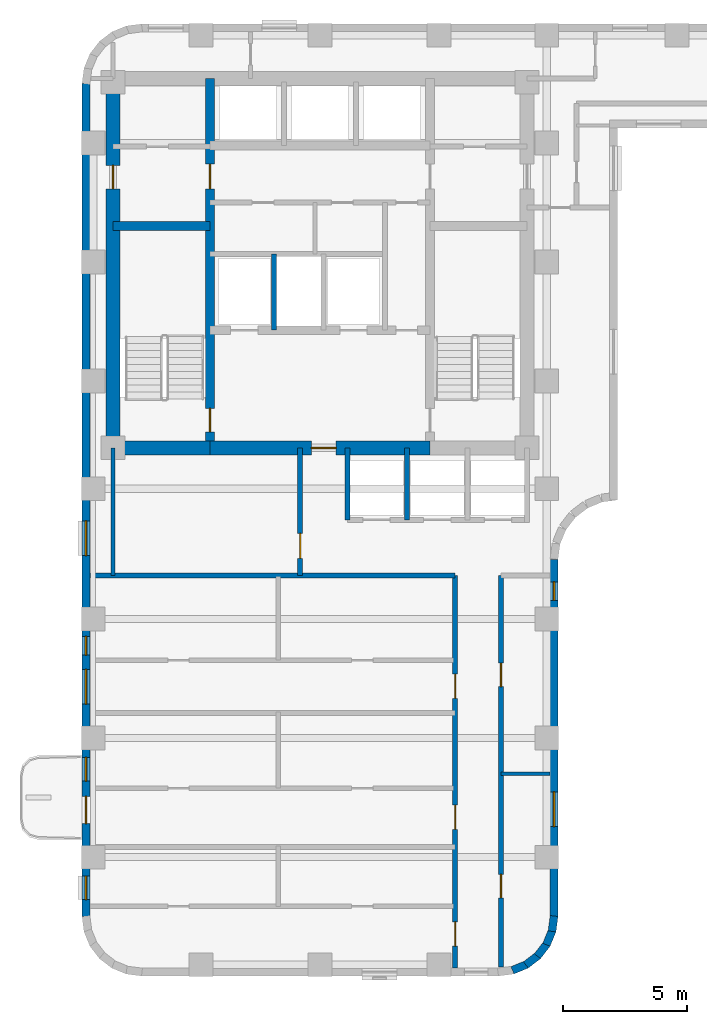
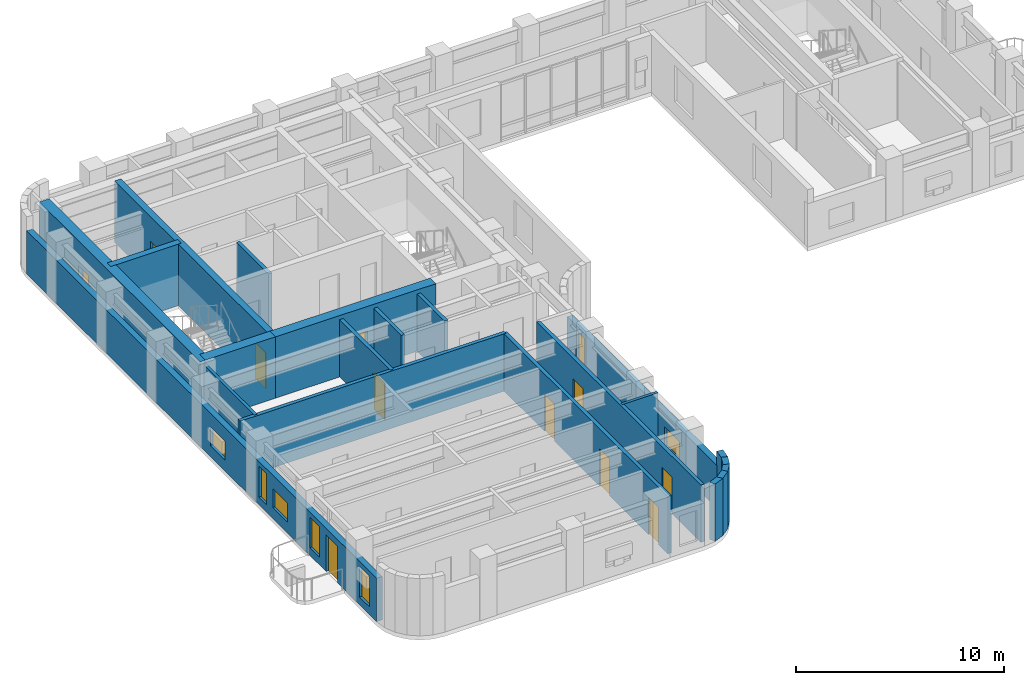
# One storey, part 4 of 11: 21 walls, 11 doors, 7 windows, 18 openings.
"""IFC4 building model written with IfcOpenShell, lengths in metres."""

from ifc_helpers import new_model, si_unit, direction, frame, frame_2d, origin, place, context, subcontext, project, spatial, rectangle, extrude, material, layer, layer_set, type_object, element, fill, save


model = new_model("IFC4")

# Units and contexts
model_context = context("Model", 3, precision=1e-05, world=origin(), true_north=direction((0.0, 1.0)))
body_context = subcontext(model_context, "Body", "Model", "MODEL_VIEW")
ifc_project = project(units=[si_unit("LENGTHUNIT", "METRE"), si_unit("AREAUNIT", "SQUARE_METRE"), si_unit("VOLUMEUNIT", "CUBIC_METRE"), si_unit("PLANEANGLEUNIT", "RADIAN"), si_unit("MASSUNIT", "GRAM", prefix="KILO")], contexts=[model_context])

# Site, building, storey
site_placement = place(None, origin())
site = spatial("IfcSite", under=ifc_project, at=site_placement, CompositionType="ELEMENT")
building_placement = place(site_placement, origin())
building = spatial("IfcBuilding", under=site, at=building_placement, Name="Orvandelia Arch Residences", CompositionType="ELEMENT")
storey_placement = place(building_placement, frame((0.0, 0.0, 161.199951171875)))
storey = spatial("IfcBuildingStorey", under=building, at=storey_placement, Name="L42", CompositionType="ELEMENT", Elevation=161.199951171875)

# Wall, openings, doors
ifc_material_1 = material(Name="Concrete C50/60", Category="concrete")
ifc_layer_1 = layer(ifc_material_1, 0.35009765625, Name="Concrete C50/60", Category="concrete")
ifc_layer_set_1 = layer_set([ifc_layer_1], Name="Concrete C50/60")
wall_type_1 = type_object("IfcWallType", Name="WL-CORE-350", PredefinedType="SHEAR", material=ifc_layer_set_1)
wall_1_placement = place(storey_placement, frame((9.9599609375, 30.89990234375, 0.0), z_axis=(0.0, 0.0, 1.0), x_axis=(0.0, 1.0, 0.0)))
wall_1 = element("IfcWall", 1, at=wall_1_placement, inside=storey, type_object=wall_type_1, Name="Core Shear Wall L42-WEB1", PredefinedType="SHEAR", context=body_context, shape_type="SweptSolid", body=[
    extrude(rectangle(XDim=14.900146484375, YDim=0.35009765625, at=frame_2d((7.4501953125, 0.0))), origin(), (0.0, 0.0, 1.0), 3.60009765625),
])
opening_1_placement = place(wall_1_placement, frame((0.64990234375, 0.0, 0.0)))
opening_1 = element("IfcOpeningElement", 2, at=opening_1_placement, cuts=wall_1, Name="Opening D7", PredefinedType="OPENING", context=body_context, shape_type="SweptSolid", body=[
    extrude(rectangle(XDim=0.949951171875, YDim=2.10009765625, at=frame_2d((0.47509765625, 1.050048828125))), frame((0.0, 0.18505859375, 0.0), z_axis=(0.0, -1.0, 0.0), x_axis=(1.0, 0.0, 0.0)), (0.0, 0.0, 1.0), 0.3701171875),
])
opening_2_placement = place(wall_1_placement, frame((10.449951171875, 0.0, 0.0)))
opening_2 = element("IfcOpeningElement", 3, at=opening_2_placement, cuts=wall_1, Name="Opening D6", PredefinedType="OPENING", context=body_context, shape_type="SweptSolid", body=[
    extrude(rectangle(XDim=1.0, YDim=2.14990234375, at=frame_2d((0.5, 1.074951171875))), frame((0.0, 0.18505859375, 0.0), z_axis=(0.0, -1.0, 0.0), x_axis=(1.0, 0.0, 0.0)), (0.0, 0.0, 1.0), 0.3701171875),
])
ifc_material_2 = material(Name="Smokeproof Painted Steel Fire Door", Category="steel")
door_type_1 = type_object("IfcDoorType", Name="DR-FD60-1000", OperationType="NOTDEFINED", PredefinedType="DOOR", material=ifc_material_2)
door_1_placement = place(opening_2_placement, origin())
door_1 = element("IfcDoor", 4, at=door_1_placement, inside=storey, type_object=door_type_1, Name="High-Rise Lift Hall West Vestibule Door L42", OperationType="SINGLE_SWING_LEFT", OverallHeight=2.14990234375, OverallWidth=1.0, PredefinedType="DOOR", context=body_context, shape_type="SweptSolid", body=[
    extrude(rectangle(XDim=1.0, YDim=2.14990234375, at=frame_2d((0.5, 1.074951171875))), frame((0.0, 0.02490234375, 0.0), z_axis=(0.0, -1.0, 0.0), x_axis=(1.0, 0.0, 0.0)), (0.0, 0.0, 1.0), 0.050048828125),
])
fill(opening_2, door_1)
ifc_material_3 = material(Name="Pressurised Stairwell Fire Door")
door_type_2 = type_object("IfcDoorType", Name="DR-STAIR-950", OperationType="NOTDEFINED", PredefinedType="DOOR", material=ifc_material_3)
door_2_placement = place(opening_1_placement, origin())
door_2 = element("IfcDoor", 5, at=door_2_placement, inside=storey, type_object=door_type_2, Name="Stairwell ST-1 Fire Door L42", OperationType="SINGLE_SWING_LEFT", OverallHeight=2.10009765625, OverallWidth=0.949951171875, PredefinedType="DOOR", context=body_context, shape_type="SweptSolid", body=[
    extrude(rectangle(XDim=0.949951171875, YDim=2.10009765625, at=frame_2d((0.47509765625, 1.050048828125))), frame((0.0, 0.02490234375, 0.0), z_axis=(0.0, -1.0, 0.0), x_axis=(1.0, 0.0, 0.0)), (0.0, 0.0, 1.0), 0.050048828125),
])
fill(opening_1, door_2)

# Wall
wall_2_placement = place(storey_placement, frame((6.050048828125, 39.85009765625, 0.0), z_axis=(0.0, 0.0, 1.0), x_axis=(1.0, 0.0, 0.0)))
element("IfcWall", 6, at=wall_2_placement, inside=storey, type_object=wall_type_1, Name="Core Shear Wall L42-HZ1", PredefinedType="SHEAR", context=body_context, shape_type="SweptSolid", body=[
    extrude(rectangle(XDim=3.909912109375, YDim=0.35009765625, at=frame_2d((1.955078125, 0.0))), origin(), (0.0, 0.0, 1.0), 3.60009765625),
])

# Wall, opening, door
ifc_material_4 = material(Name="Concrete C60/75", Category="concrete")
ifc_layer_2 = layer(ifc_material_4, 0.550048828125, Name="Concrete C60/75", Category="concrete")
ifc_layer_set_2 = layer_set([ifc_layer_2], Name="Concrete C60/75")
wall_type_2 = type_object("IfcWallType", Name="WL-CORE-550", PredefinedType="SHEAR", material=ifc_layer_set_2)
wall_3_placement = place(storey_placement, frame((6.050048828125, 30.625, 0.0), z_axis=(0.0, 0.0, 1.0), x_axis=(0.0, 1.0, 0.0)))
wall_3 = element("IfcWall", 7, at=wall_3_placement, inside=storey, type_object=wall_type_2, Name="Core Shear Wall L42-W", PredefinedType="SHEAR", context=body_context, shape_type="SweptSolid", body=[
    extrude(rectangle(XDim=15.449951171875, YDim=0.550048828125, at=frame_2d((7.72509765625, 0.0))), origin(), (0.0, 0.0, 1.0), 3.60009765625),
])
opening_3_placement = place(wall_3_placement, frame((10.72509765625, 0.0, 0.0)))
opening_3 = element("IfcOpeningElement", 8, at=opening_3_placement, cuts=wall_3, Name="Opening D2", PredefinedType="OPENING", context=body_context, shape_type="SweptSolid", body=[
    extrude(rectangle(XDim=0.949951171875, YDim=2.14990234375, at=frame_2d((0.47509765625, 1.074951171875))), frame((0.0, 0.28515625, 0.0), z_axis=(0.0, -1.0, 0.0), x_axis=(1.0, 0.0, 0.0)), (0.0, 0.0, 1.0), 0.570068359375),
])
ifc_material_5 = material(Name="Solid-Core Timber Interior Fire Door", Category="wood")
door_type_3 = type_object("IfcDoorType", Name="DR-APT-950", OperationType="NOTDEFINED", PredefinedType="DOOR", material=ifc_material_5)
door_3_placement = place(opening_3_placement, origin())
door_3 = element("IfcDoor", 9, at=door_3_placement, inside=storey, type_object=door_type_3, Name="West Viewing Study Door L42", OperationType="SINGLE_SWING_RIGHT", OverallHeight=2.14990234375, OverallWidth=0.949951171875, PredefinedType="DOOR", context=body_context, shape_type="SweptSolid", body=[
    extrude(rectangle(XDim=0.949951171875, YDim=2.14990234375, at=frame_2d((0.47509765625, 1.074951171875))), frame((0.0, 0.02490234375, 0.0), z_axis=(0.0, -1.0, 0.0), x_axis=(1.0, 0.0, 0.0)), (0.0, 0.0, 1.0), 0.050048828125),
])
fill(opening_3, door_3)

# Wall
wall_4_placement = place(storey_placement, frame((6.050048828125, 30.89990234375, 0.0), z_axis=(0.0, 0.0, 1.0), x_axis=(1.0, 0.0, 0.0)))
element("IfcWall", 10, at=wall_4_placement, inside=storey, type_object=wall_type_2, Name="Core Shear Wall L42-SW", PredefinedType="SHEAR", context=body_context, shape_type="SweptSolid", body=[
    extrude(rectangle(XDim=3.909912109375, YDim=0.550048828125, at=frame_2d((1.955078125, 0.0))), origin(), (0.0, 0.0, 1.0), 3.60009765625),
])

# Wall, opening, door
wall_5_placement = place(storey_placement, frame((9.9599609375, 30.89990234375, 0.0), z_axis=(0.0, 0.0, 1.0), x_axis=(1.0, 0.0, 0.0)))
wall_5 = element("IfcWall", 11, at=wall_5_placement, inside=storey, type_object=wall_type_2, Name="Core Shear Wall L42-SM", PredefinedType="SHEAR", context=body_context, shape_type="SweptSolid", body=[
    extrude(rectangle(XDim=8.880126953125, YDim=0.550048828125, at=frame_2d((4.43994140625, 0.0))), origin(), (0.0, 0.0, 1.0), 3.60009765625),
])
opening_4_placement = place(wall_5_placement, frame((4.090087890625, 0.0, 0.0)))
opening_4 = element("IfcOpeningElement", 12, at=opening_4_placement, cuts=wall_5, Name="Opening D6", PredefinedType="OPENING", context=body_context, shape_type="SweptSolid", body=[
    extrude(rectangle(XDim=1.0, YDim=2.14990234375, at=frame_2d((0.5, 1.074951171875))), frame((0.0, 0.28515625, 0.0), z_axis=(0.0, -1.0, 0.0), x_axis=(1.0, 0.0, 0.0)), (0.0, 0.0, 1.0), 0.570068359375),
])
door_4_placement = place(opening_4_placement, origin())
door_4 = element("IfcDoor", 13, at=door_4_placement, inside=storey, type_object=door_type_1, Name="Firefighting Lobby Smokeproof Door L42", OperationType="SINGLE_SWING_LEFT", OverallHeight=2.14990234375, OverallWidth=1.0, PredefinedType="DOOR", context=body_context, shape_type="SweptSolid", body=[
    extrude(rectangle(XDim=1.0, YDim=2.14990234375, at=frame_2d((0.5, 1.074951171875))), frame((0.0, 0.02490234375, 0.0), z_axis=(0.0, -1.0, 0.0), x_axis=(1.0, 0.0, 0.0)), (0.0, 0.0, 1.0), 0.050048828125),
])
fill(opening_4, door_4)

# Wall, openings, doors
ifc_material_6 = material(Name="Fire-Rated Corridor Partition")
ifc_layer_3 = layer(ifc_material_6, 0.199951171875, Name="Fire-Rated Corridor Partition")
ifc_layer_set_3 = layer_set([ifc_layer_3], Name="Fire-Rated Corridor Partition")
wall_type_3 = type_object("IfcWallType", Name="WL-CORR-200", PredefinedType="PARTITIONING", material=ifc_layer_set_3)
wall_6_placement = place(storey_placement, frame((19.85009765625, 9.919921875, 0.0), z_axis=(0.0, 0.0, 1.0), x_axis=(0.0, 1.0, 0.0)))
wall_6 = element("IfcWall", 14, at=wall_6_placement, inside=storey, type_object=wall_type_3, Name="Interior Partition Wall WL-L42-WC-W", PredefinedType="PARTITIONING", context=body_context, shape_type="SweptSolid", body=[
    extrude(rectangle(XDim=15.830078125, YDim=0.199951171875, at=frame_2d((7.9150390625, 0.0))), origin(), (0.0, 0.0, 1.0), 3.360107421875),
])
opening_5_placement = place(wall_6_placement, frame((0.885009765625, 0.0, 0.0)))
opening_5 = element("IfcOpeningElement", 15, at=opening_5_placement, cuts=wall_6, Name="Opening D1", PredefinedType="OPENING", context=body_context, shape_type="SweptSolid", body=[
    extrude(rectangle(XDim=0.97998046875, YDim=2.179931640625, at=frame_2d((0.489990234375, 1.08984375))), frame((0.0, 0.10986328125, 0.0), z_axis=(0.0, -1.0, 0.0), x_axis=(1.0, 0.0, 0.0)), (0.0, 0.0, 1.0), 0.219970703125),
])
opening_6_placement = place(wall_6_placement, frame((5.597900390625, 0.0, 0.0)))
opening_6 = element("IfcOpeningElement", 16, at=opening_6_placement, cuts=wall_6, Name="Opening D1", PredefinedType="OPENING", context=body_context, shape_type="SweptSolid", body=[
    extrude(rectangle(XDim=0.97998046875, YDim=2.179931640625, at=frame_2d((0.489990234375, 1.08984375))), frame((0.0, 0.10986328125, 0.0), z_axis=(0.0, -1.0, 0.0), x_axis=(1.0, 0.0, 0.0)), (0.0, 0.0, 1.0), 0.219970703125),
])
opening_7_placement = place(wall_6_placement, frame((10.8798828125, 0.0, 0.0)))
opening_7 = element("IfcOpeningElement", 17, at=opening_7_placement, cuts=wall_6, Name="Opening D1", PredefinedType="OPENING", context=body_context, shape_type="SweptSolid", body=[
    extrude(rectangle(XDim=0.97998046875, YDim=2.179931640625, at=frame_2d((0.489990234375, 1.08984375))), frame((0.0, 0.10986328125, 0.0), z_axis=(0.0, -1.0, 0.0), x_axis=(1.0, 0.0, 0.0)), (0.0, 0.0, 1.0), 0.219970703125),
])
ifc_material_7 = material(Name="Solid-Core Timber Acoustic Fire Door", Category="wood")
door_type_4 = type_object("IfcDoorType", Name="DR-ENT-980", OperationType="NOTDEFINED", PredefinedType="DOOR", material=ifc_material_7)
door_5_placement = place(opening_5_placement, origin())
door_5 = element("IfcDoor", 18, at=door_5_placement, inside=storey, type_object=door_type_4, Name="Unit L42-01 Entrance Door", OperationType="SINGLE_SWING_LEFT", OverallHeight=2.179931640625, OverallWidth=0.97998046875, PredefinedType="DOOR", context=body_context, shape_type="SweptSolid", body=[
    extrude(rectangle(XDim=0.97998046875, YDim=2.179931640625, at=frame_2d((0.489990234375, 1.08984375))), frame((0.0, 0.02490234375, 0.0), z_axis=(0.0, -1.0, 0.0), x_axis=(1.0, 0.0, 0.0)), (0.0, 0.0, 1.0), 0.050048828125),
])
fill(opening_5, door_5)
door_6_placement = place(opening_6_placement, origin())
door_6 = element("IfcDoor", 19, at=door_6_placement, inside=storey, type_object=door_type_4, Name="Unit L42-02 Entrance Door", OperationType="SINGLE_SWING_RIGHT", OverallHeight=2.179931640625, OverallWidth=0.97998046875, PredefinedType="DOOR", context=body_context, shape_type="SweptSolid", body=[
    extrude(rectangle(XDim=0.97998046875, YDim=2.179931640625, at=frame_2d((0.489990234375, 1.08984375))), frame((0.0, 0.02490234375, 0.0), z_axis=(0.0, -1.0, 0.0), x_axis=(1.0, 0.0, 0.0)), (0.0, 0.0, 1.0), 0.050048828125),
])
fill(opening_6, door_6)
door_7_placement = place(opening_7_placement, origin())
door_7 = element("IfcDoor", 20, at=door_7_placement, inside=storey, type_object=door_type_4, Name="Unit L42-03 Entrance Door", OperationType="SINGLE_SWING_LEFT", OverallHeight=2.179931640625, OverallWidth=0.97998046875, PredefinedType="DOOR", context=body_context, shape_type="SweptSolid", body=[
    extrude(rectangle(XDim=0.97998046875, YDim=2.179931640625, at=frame_2d((0.489990234375, 1.08984375))), frame((0.0, 0.02490234375, 0.0), z_axis=(0.0, -1.0, 0.0), x_axis=(1.0, 0.0, 0.0)), (0.0, 0.0, 1.0), 0.050048828125),
])
fill(opening_7, door_7)

wall_7_placement = place(storey_placement, frame((21.699951171875, 9.9599609375, 0.0), z_axis=(0.0, 0.0, 1.0), x_axis=(0.0, 1.0, 0.0)))
wall_7 = element("IfcWall", 21, at=wall_7_placement, inside=storey, type_object=wall_type_3, Name="Interior Partition Wall WL-L42-WC-E", PredefinedType="PARTITIONING", context=body_context, shape_type="SweptSolid", body=[
    extrude(rectangle(XDim=15.7900390625, YDim=0.199951171875, at=frame_2d((7.89501953125, 0.0))), origin(), (0.0, 0.0, 1.0), 3.360107421875),
])
opening_8_placement = place(wall_7_placement, frame((2.7900390625, 0.0, 0.0)))
opening_8 = element("IfcOpeningElement", 22, at=opening_8_placement, cuts=wall_7, Name="Opening D2", PredefinedType="OPENING", context=body_context, shape_type="SweptSolid", body=[
    extrude(rectangle(XDim=0.949951171875, YDim=2.14990234375, at=frame_2d((0.47509765625, 1.074951171875))), frame((0.0, 0.10986328125, 0.0), z_axis=(0.0, -1.0, 0.0), x_axis=(1.0, 0.0, 0.0)), (0.0, 0.0, 1.0), 0.219970703125),
])
opening_9_placement = place(wall_7_placement, frame((11.31005859375, 0.0, 0.0)))
opening_9 = element("IfcOpeningElement", 23, at=opening_9_placement, cuts=wall_7, Name="Opening D2", PredefinedType="OPENING", context=body_context, shape_type="SweptSolid", body=[
    extrude(rectangle(XDim=0.949951171875, YDim=2.14990234375, at=frame_2d((0.47509765625, 1.074951171875))), frame((0.0, 0.10986328125, 0.0), z_axis=(0.0, -1.0, 0.0), x_axis=(1.0, 0.0, 0.0)), (0.0, 0.0, 1.0), 0.219970703125),
])
door_8_placement = place(opening_8_placement, origin())
door_8 = element("IfcDoor", 24, at=door_8_placement, inside=storey, type_object=door_type_3, Name="DR-L42-EGALV1", OperationType="SINGLE_SWING_LEFT", OverallHeight=2.14990234375, OverallWidth=0.949951171875, PredefinedType="DOOR", context=body_context, shape_type="SweptSolid", body=[
    extrude(rectangle(XDim=0.949951171875, YDim=2.14990234375, at=frame_2d((0.47509765625, 1.074951171875))), frame((0.0, 0.02490234375, 0.0), z_axis=(0.0, -1.0, 0.0), x_axis=(1.0, 0.0, 0.0)), (0.0, 0.0, 1.0), 0.050048828125),
])
fill(opening_8, door_8)
door_9_placement = place(opening_9_placement, origin())
door_9 = element("IfcDoor", 25, at=door_9_placement, inside=storey, type_object=door_type_3, Name="DR-L42-EGLDY1", OperationType="SINGLE_SWING_RIGHT", OverallHeight=2.14990234375, OverallWidth=0.949951171875, PredefinedType="DOOR", context=body_context, shape_type="SweptSolid", body=[
    extrude(rectangle(XDim=0.949951171875, YDim=2.14990234375, at=frame_2d((0.47509765625, 1.074951171875))), frame((0.0, 0.02490234375, 0.0), z_axis=(0.0, -1.0, 0.0), x_axis=(1.0, 0.0, 0.0)), (0.0, 0.0, 1.0), 0.050048828125),
])
fill(opening_9, door_9)

# Wall
wall_8_placement = place(storey_placement, frame((5.1201171875, 25.75, 0.0), z_axis=(0.0, 0.0, 1.0), x_axis=(1.0, 0.0, 0.0)))
element("IfcWall", 26, at=wall_8_placement, inside=storey, type_object=wall_type_3, Name="Interior Partition Wall WL-L42-WCLS-W", PredefinedType="PARTITIONING", context=body_context, shape_type="SweptSolid", body=[
    extrude(rectangle(XDim=14.72998046875, YDim=0.199951171875, at=frame_2d((7.364990234375, 0.0))), origin(), (0.0, 0.0, 1.0), 3.360107421875),
])

# Wall, openings, windows
ifc_material_8 = material(Name="Precast concrete C40/50", Category="concrete")
ifc_layer_4 = layer(ifc_material_8, 0.320068359375, Name="Precast concrete C40/50", Category="concrete")
ifc_layer_set_4 = layer_set([ifc_layer_4], Name="Precast concrete C40/50")
wall_type_4 = type_object("IfcWallType", Name="WL-EXT-STONE-320", PredefinedType="STANDARD", material=ifc_layer_set_4)
wall_9_placement = place(storey_placement, frame((23.840087890625, 26.39990234375, 0.0), z_axis=(0.0, 0.0, 1.0), x_axis=(0.0, -1.0, 0.0)))
wall_9 = element("IfcWall", 27, at=wall_9_placement, inside=storey, type_object=wall_type_4, Name="Coral-Limestone Precast Facade Wall L42-032", PredefinedType="STANDARD", context=body_context, shape_type="SweptSolid", body=[
    extrude(rectangle(XDim=14.39990234375, YDim=0.320068359375, at=frame_2d((7.199951171875, 0.0))), origin(), (0.0, 0.0, 1.0), 2.5400390625),
])
opening_10_placement = place(wall_9_placement, frame((9.37255859375, 0.0, 0.64990234375)))
opening_10 = element("IfcOpeningElement", 28, at=opening_10_placement, cuts=wall_9, Name="Opening W10", PredefinedType="OPENING", context=body_context, shape_type="SweptSolid", body=[
    extrude(rectangle(XDim=1.39990234375, YDim=1.10009765625, at=frame_2d((0.699951171875, 0.550048828125))), frame((0.0, 0.169921875, 0.0), z_axis=(0.0, -1.0, 0.0), x_axis=(1.0, 0.0, 0.0)), (0.0, 0.0, 1.0), 0.340087890625),
])
opening_11_placement = place(wall_9_placement, frame((0.902587890625, 0.0, 0.449951171875)))
opening_11 = element("IfcOpeningElement", 29, at=opening_11_placement, cuts=wall_9, Name="Opening W11", PredefinedType="OPENING", context=body_context, shape_type="SweptSolid", body=[
    extrude(rectangle(XDim=0.75, YDim=1.800048828125, at=frame_2d((0.375, 0.89990234375))), frame((0.0, 0.169921875, 0.0), z_axis=(0.0, -1.0, 0.0), x_axis=(1.0, 0.0, 0.0)), (0.0, 0.0, 1.0), 0.340087890625),
])
ifc_material_9 = material(Name="Tempered Low-E Insulated Glazing", Category="glass")
window_type_1 = type_object("IfcWindowType", Name="WIN-BED-0750x1800", PartitioningType="SINGLE_PANEL", PredefinedType="WINDOW", material=ifc_material_9)
window_1_placement = place(opening_11_placement, origin())
window_1 = element("IfcWindow", 30, at=window_1_placement, inside=storey, type_object=window_type_1, Name="Recessed Punched Window L42-017", OverallHeight=1.800048828125, OverallWidth=0.75, PartitioningType="SINGLE_PANEL", PredefinedType="WINDOW", context=body_context, shape_type="SweptSolid", body=[
    extrude(rectangle(XDim=0.75, YDim=1.800048828125, at=frame_2d((0.375, 0.89990234375))), frame((0.0, 0.030029296875, 0.0), z_axis=(0.0, -1.0, 0.0), x_axis=(1.0, 0.0, 0.0)), (0.0, 0.0, 1.0), 0.06005859375),
])
fill(opening_11, window_1)
window_type_2 = type_object("IfcWindowType", Name="WIN-CLR-1400x1100", PartitioningType="SINGLE_PANEL", PredefinedType="WINDOW", material=ifc_material_9)
window_2_placement = place(opening_10_placement, origin())
window_2 = element("IfcWindow", 31, at=window_2_placement, inside=storey, type_object=window_type_2, Name="Recessed Punched Window L42-016", OverallHeight=1.10009765625, OverallWidth=1.39990234375, PartitioningType="SINGLE_PANEL", PredefinedType="WINDOW", context=body_context, shape_type="SweptSolid", body=[
    extrude(rectangle(XDim=1.39990234375, YDim=1.10009765625, at=frame_2d((0.699951171875, 0.550048828125))), frame((0.0, 0.030029296875, 0.0), z_axis=(0.0, -1.0, 0.0), x_axis=(1.0, 0.0, 0.0)), (0.0, 0.0, 1.0), 0.06005859375),
])
fill(opening_10, window_2)

# Walls
wall_10_placement = place(storey_placement, frame((23.84130859375, 12.02099609375, 0.0), z_axis=(0.0, 0.0, 1.0), x_axis=(-0.130504898859, -0.991447664465, 0.0)))
element("IfcWall", 32, at=wall_10_placement, inside=storey, type_object=wall_type_4, Name="Coral-Limestone Precast Facade Wall L42-033", PredefinedType="STANDARD", context=body_context, shape_type="SweptSolid", body=[
    extrude(rectangle(XDim=0.626708984375, YDim=0.320068359375, at=frame_2d((0.3134765625, 0.0))), origin(), (0.0, 0.0, 1.0), 3.360107421875),
])
for number, where, z_axis, x_axis, name in (
    (33, (23.7705078125, 11.43994140625, 0.0), (0.0, 0.0, 1.0), (-0.382650053678, -0.92389335771, 0.0), "Coral-Limestone Precast Facade Wall L42-034"),
    (34, (23.551513671875, 10.8974609375, 0.0), (0.0, 0.0, 1.0), (-0.608693302629, -0.793405610854, 0.0), "Coral-Limestone Precast Facade Wall L42-035"),
    (35, (23.19970703125, 10.4296875, 0.0), (0.0, 0.0, 1.0), (-0.793405610854, -0.608693302629, 0.0), "Coral-Limestone Precast Facade Wall L42-036"),
    (36, (22.73876953125, 10.0693359375, 0.0), (0.0, 0.0, 1.0), (-0.92389335771, -0.382650053678, 0.0), "Coral-Limestone Precast Facade Wall L42-037"),
):
    element("IfcWall", number, at=place(storey_placement, frame(where, z_axis=z_axis, x_axis=x_axis)), inside=storey, type_object=wall_type_4, Name=name, PredefinedType="STANDARD", context=body_context, shape_type="SweptSolid", body=[
        extrude(rectangle(XDim=0.62646484375, YDim=0.320068359375, at=frame_2d((0.313232421875, 0.0))), origin(), (0.0, 0.0, 1.0), 3.360107421875),
    ])

# Wall, openings, door, windows
wall_11_placement = place(storey_placement, frame((4.9599609375, 12.0, 0.0), z_axis=(0.0, 0.0, 1.0), x_axis=(0.0, 1.0, 0.0)))
wall_11 = element("IfcWall", 37, at=wall_11_placement, inside=storey, type_object=wall_type_4, Name="Coral-Limestone Precast Facade Wall L42-046", PredefinedType="STANDARD", context=body_context, shape_type="SweptSolid", body=[
    extrude(rectangle(XDim=33.60009765625, YDim=0.320068359375, at=frame_2d((16.800048828125, 0.0))), origin(), (0.0, 0.0, 1.0), 2.5400390625),
])
opening_12_placement = place(wall_11_placement, frame((3.75, 0.0, 0.0)))
opening_12 = element("IfcOpeningElement", 38, at=opening_12_placement, cuts=wall_11, Name="Opening BD1", PredefinedType="OPENING", context=body_context, shape_type="SweptSolid", body=[
    extrude(rectangle(XDim=1.10009765625, YDim=2.14990234375, at=frame_2d((0.550048828125, 1.074951171875))), frame((0.0, 0.169921875, 0.0), z_axis=(0.0, -1.0, 0.0), x_axis=(1.0, 0.0, 0.0)), (0.0, 0.0, 1.0), 0.340087890625),
])
opening_13_placement = place(wall_11_placement, frame((8.570068359375, 0.0, 0.64990234375)))
opening_13 = element("IfcOpeningElement", 39, at=opening_13_placement, cuts=wall_11, Name="Opening W10", PredefinedType="OPENING", context=body_context, shape_type="SweptSolid", body=[
    extrude(rectangle(XDim=1.39990234375, YDim=1.10009765625, at=frame_2d((0.699951171875, 0.550048828125))), frame((0.0, 0.169921875, 0.0), z_axis=(0.0, -1.0, 0.0), x_axis=(1.0, 0.0, 0.0)), (0.0, 0.0, 1.0), 0.340087890625),
])
opening_14_placement = place(wall_11_placement, frame((0.6826171875, 0.0, 0.449951171875)))
opening_14 = element("IfcOpeningElement", 40, at=opening_14_placement, cuts=wall_11, Name="Opening W4", PredefinedType="OPENING", context=body_context, shape_type="SweptSolid", body=[
    extrude(rectangle(XDim=0.949951171875, YDim=1.800048828125, at=frame_2d((0.47509765625, 0.89990234375))), frame((0.0, 0.169921875, 0.0), z_axis=(0.0, -1.0, 0.0), x_axis=(1.0, 0.0, 0.0)), (0.0, 0.0, 1.0), 0.340087890625),
])
opening_15_placement = place(wall_11_placement, frame((5.465576171875, 0.0, 0.449951171875)))
opening_15 = element("IfcOpeningElement", 41, at=opening_15_placement, cuts=wall_11, Name="Opening W4", PredefinedType="OPENING", context=body_context, shape_type="SweptSolid", body=[
    extrude(rectangle(XDim=0.949951171875, YDim=1.800048828125, at=frame_2d((0.47509765625, 0.89990234375))), frame((0.0, 0.169921875, 0.0), z_axis=(0.0, -1.0, 0.0), x_axis=(1.0, 0.0, 0.0)), (0.0, 0.0, 1.0), 0.340087890625),
])
opening_16_placement = place(wall_11_placement, frame((10.547607421875, 0.0, 0.449951171875)))
opening_16 = element("IfcOpeningElement", 42, at=opening_16_placement, cuts=wall_11, Name="Opening W11", PredefinedType="OPENING", context=body_context, shape_type="SweptSolid", body=[
    extrude(rectangle(XDim=0.75, YDim=1.800048828125, at=frame_2d((0.375, 0.89990234375))), frame((0.0, 0.169921875, 0.0), z_axis=(0.0, -1.0, 0.0), x_axis=(1.0, 0.0, 0.0)), (0.0, 0.0, 1.0), 0.340087890625),
])
opening_17_placement = place(wall_11_placement, frame((14.5576171875, 0.0, 0.64990234375)))
opening_17 = element("IfcOpeningElement", 43, at=opening_17_placement, cuts=wall_11, Name="Opening W10", PredefinedType="OPENING", context=body_context, shape_type="SweptSolid", body=[
    extrude(rectangle(XDim=1.39990234375, YDim=1.10009765625, at=frame_2d((0.699951171875, 0.550048828125))), frame((0.0, 0.169921875, 0.0), z_axis=(0.0, -1.0, 0.0), x_axis=(1.0, 0.0, 0.0)), (0.0, 0.0, 1.0), 0.340087890625),
])
ifc_material_10 = material(Name="Thermally Broken Aluminium Glazed Door", Category="aluminium")
door_type_5 = type_object("IfcDoorType", Name="DR-BAL-GLAZ-1100", OperationType="NOTDEFINED", PredefinedType="DOOR", material=ifc_material_10)
door_10_placement = place(opening_12_placement, origin())
door_10 = element("IfcDoor", 44, at=door_10_placement, inside=storey, type_object=door_type_5, Name="Tree Balcony Glazed Door BAL-L42-W1", OperationType="SINGLE_SWING_RIGHT", OverallHeight=2.14990234375, OverallWidth=1.10009765625, PredefinedType="DOOR", context=body_context, shape_type="SweptSolid", body=[
    extrude(rectangle(XDim=1.10009765625, YDim=2.14990234375, at=frame_2d((0.550048828125, 1.074951171875))), frame((0.0, 0.02490234375, 0.0), z_axis=(0.0, -1.0, 0.0), x_axis=(1.0, 0.0, 0.0)), (0.0, 0.0, 1.0), 0.050048828125),
])
fill(opening_12, door_10)
window_3_placement = place(opening_16_placement, origin())
window_3 = element("IfcWindow", 45, at=window_3_placement, inside=storey, type_object=window_type_1, Name="Recessed Punched Window L42-023", OverallHeight=1.800048828125, OverallWidth=0.75, PartitioningType="SINGLE_PANEL", PredefinedType="WINDOW", context=body_context, shape_type="SweptSolid", body=[
    extrude(rectangle(XDim=0.75, YDim=1.800048828125, at=frame_2d((0.375, 0.89990234375))), frame((0.0, 0.030029296875, 0.0), z_axis=(0.0, -1.0, 0.0), x_axis=(1.0, 0.0, 0.0)), (0.0, 0.0, 1.0), 0.06005859375),
])
fill(opening_16, window_3)
window_4_placement = place(opening_13_placement, origin())
window_4 = element("IfcWindow", 46, at=window_4_placement, inside=storey, type_object=window_type_2, Name="Recessed Punched Window L42-020", OverallHeight=1.10009765625, OverallWidth=1.39990234375, PartitioningType="SINGLE_PANEL", PredefinedType="WINDOW", context=body_context, shape_type="SweptSolid", body=[
    extrude(rectangle(XDim=1.39990234375, YDim=1.10009765625, at=frame_2d((0.699951171875, 0.550048828125))), frame((0.0, 0.030029296875, 0.0), z_axis=(0.0, -1.0, 0.0), x_axis=(1.0, 0.0, 0.0)), (0.0, 0.0, 1.0), 0.06005859375),
])
fill(opening_13, window_4)
window_5_placement = place(opening_17_placement, origin())
window_5 = element("IfcWindow", 47, at=window_5_placement, inside=storey, type_object=window_type_2, Name="Recessed Punched Window L42-024", OverallHeight=1.10009765625, OverallWidth=1.39990234375, PartitioningType="SINGLE_PANEL", PredefinedType="WINDOW", context=body_context, shape_type="SweptSolid", body=[
    extrude(rectangle(XDim=1.39990234375, YDim=1.10009765625, at=frame_2d((0.699951171875, 0.550048828125))), frame((0.0, 0.030029296875, 0.0), z_axis=(0.0, -1.0, 0.0), x_axis=(1.0, 0.0, 0.0)), (0.0, 0.0, 1.0), 0.06005859375),
])
fill(opening_17, window_5)
window_type_3 = type_object("IfcWindowType", Name="WIN-RES-0950x1800", PartitioningType="SINGLE_PANEL", PredefinedType="WINDOW", material=ifc_material_9)
window_6_placement = place(opening_14_placement, origin())
window_6 = element("IfcWindow", 48, at=window_6_placement, inside=storey, type_object=window_type_3, Name="Recessed Punched Window L42-021", OverallHeight=1.800048828125, OverallWidth=0.949951171875, PartitioningType="SINGLE_PANEL", PredefinedType="WINDOW", context=body_context, shape_type="SweptSolid", body=[
    extrude(rectangle(XDim=0.949951171875, YDim=1.800048828125, at=frame_2d((0.47509765625, 0.89990234375))), frame((0.0, 0.030029296875, 0.0), z_axis=(0.0, -1.0, 0.0), x_axis=(1.0, 0.0, 0.0)), (0.0, 0.0, 1.0), 0.06005859375),
])
fill(opening_14, window_6)
window_7_placement = place(opening_15_placement, origin())
window_7 = element("IfcWindow", 49, at=window_7_placement, inside=storey, type_object=window_type_3, Name="Recessed Punched Window L42-022", OverallHeight=1.800048828125, OverallWidth=0.949951171875, PartitioningType="SINGLE_PANEL", PredefinedType="WINDOW", context=body_context, shape_type="SweptSolid", body=[
    extrude(rectangle(XDim=0.949951171875, YDim=1.800048828125, at=frame_2d((0.47509765625, 0.89990234375))), frame((0.0, 0.030029296875, 0.0), z_axis=(0.0, -1.0, 0.0), x_axis=(1.0, 0.0, 0.0)), (0.0, 0.0, 1.0), 0.06005859375),
])
fill(opening_15, window_7)

# Walls
ifc_material_11 = material(Name="Acoustic Gypsum Stud Partition")
ifc_layer_5 = layer(ifc_material_11, 0.14990234375, Name="Acoustic Gypsum Stud Partition")
ifc_layer_set_5 = layer_set([ifc_layer_5], Name="Acoustic Gypsum Stud Partition")
wall_type_5 = type_object("IfcWallType", Name="WL-PART-150", PredefinedType="PARTITIONING", material=ifc_layer_set_5)
wall_12_placement = place(storey_placement, frame((6.050048828125, 25.75, 0.0), z_axis=(0.0, 0.0, 1.0), x_axis=(0.0, 1.0, 0.0)))
element("IfcWall", 50, at=wall_12_placement, inside=storey, type_object=wall_type_5, Name="Interior Partition Wall WL-L42-B1REUSE-W", PredefinedType="PARTITIONING", context=body_context, shape_type="SweptSolid", body=[
    extrude(rectangle(XDim=5.14990234375, YDim=0.14990234375, at=frame_2d((2.574951171875, 0.0))), origin(), (0.0, 0.0, 1.0), 3.360107421875),
])
wall_13_placement = place(storey_placement, frame((21.699951171875, 17.760009765625, 0.0), z_axis=(0.0, 0.0, 1.0), x_axis=(1.0, 0.0, 0.0)))
element("IfcWall", 51, at=wall_13_placement, inside=storey, type_object=wall_type_5, Name="Interior Partition Wall WL-L42-EGDIV-1", PredefinedType="PARTITIONING", context=body_context, shape_type="SweptSolid", body=[
    extrude(rectangle(XDim=1.97998046875, YDim=0.14990234375, at=frame_2d((0.989990234375, 0.0))), origin(), (0.0, 0.0, 1.0), 3.360107421875),
])
ifc_material_12 = material(Name="Fire-Rated Shaft Enclosure Wall")
ifc_layer_6 = layer(ifc_material_12, 0.199951171875, Name="Fire-Rated Shaft Enclosure Wall")
ifc_layer_set_6 = layer_set([ifc_layer_6], Name="Fire-Rated Shaft Enclosure Wall")
wall_type_6 = type_object("IfcWallType", Name="WL-SHAFT-200", PredefinedType="POLYGONAL", material=ifc_layer_set_6)
wall_14_placement = place(storey_placement, frame((12.550048828125, 35.64990234375, 0.0), z_axis=(0.0, 0.0, 1.0), x_axis=(0.0, 1.0, 0.0)))
element("IfcWall", 52, at=wall_14_placement, inside=storey, type_object=wall_type_6, Name="Interior Partition Wall WL-L42-FLM1", PredefinedType="POLYGONAL", context=body_context, shape_type="SweptSolid", body=[
    extrude(rectangle(XDim=3.070068359375, YDim=0.199951171875, at=frame_2d((1.53515625, 0.0))), origin(), (0.0, 0.0, 1.0), 3.360107421875),
])

# Wall, opening, door
wall_15_placement = place(storey_placement, frame((13.60009765625, 25.75, 0.0), z_axis=(0.0, 0.0, 1.0), x_axis=(0.0, 1.0, 0.0)))
wall_15 = element("IfcWall", 53, at=wall_15_placement, inside=storey, type_object=wall_type_6, Name="Interior Partition Wall WL-L42-B1REUSE-E", PredefinedType="POLYGONAL", context=body_context, shape_type="SweptSolid", body=[
    extrude(rectangle(XDim=5.14990234375, YDim=0.199951171875, at=frame_2d((2.574951171875, 0.0))), origin(), (0.0, 0.0, 1.0), 3.360107421875),
])
opening_18_placement = place(wall_15_placement, frame((0.699951171875, 0.0, 0.0)))
opening_18 = element("IfcOpeningElement", 54, at=opening_18_placement, cuts=wall_15, Name="Opening D6", PredefinedType="OPENING", context=body_context, shape_type="SweptSolid", body=[
    extrude(rectangle(XDim=1.0, YDim=2.14990234375, at=frame_2d((0.5, 1.074951171875))), frame((0.0, 0.10986328125, 0.0), z_axis=(0.0, -1.0, 0.0), x_axis=(1.0, 0.0, 0.0)), (0.0, 0.0, 1.0), 0.219970703125),
])
door_11_placement = place(opening_18_placement, origin())
door_11 = element("IfcDoor", 55, at=door_11_placement, inside=storey, type_object=door_type_1, Name="DR-L42-B1REUSE", OperationType="SINGLE_SWING_LEFT", OverallHeight=2.14990234375, OverallWidth=1.0, PredefinedType="DOOR", context=body_context, shape_type="SweptSolid", body=[
    extrude(rectangle(XDim=1.0, YDim=2.14990234375, at=frame_2d((0.5, 1.074951171875))), frame((0.0, 0.02490234375, 0.0), z_axis=(0.0, -1.0, 0.0), x_axis=(1.0, 0.0, 0.0)), (0.0, 0.0, 1.0), 0.050048828125),
])
fill(opening_18, door_11)

# Walls
for number, where, z_axis, x_axis, name in (
    (56, (15.5, 28.0, 0.0), (0.0, 0.0, 1.0), (0.0, 1.0, 0.0), "Interior Partition Wall WL-L42-BNKM-W"),
    (57, (17.89990234375, 28.0, 0.0), (0.0, 0.0, 1.0), (0.0, 1.0, 0.0), "Interior Partition Wall WL-L42-BNKMD-1789"),
):
    element("IfcWall", number, at=place(storey_placement, frame(where, z_axis=z_axis, x_axis=x_axis)), inside=storey, type_object=wall_type_6, Name=name, PredefinedType="POLYGONAL", context=body_context, shape_type="SweptSolid", body=[
        extrude(rectangle(XDim=2.89990234375, YDim=0.199951171875, at=frame_2d((1.449951171875, 0.0))), origin(), (0.0, 0.0, 1.0), 3.360107421875),
    ])

save(model, "model.ifc")
